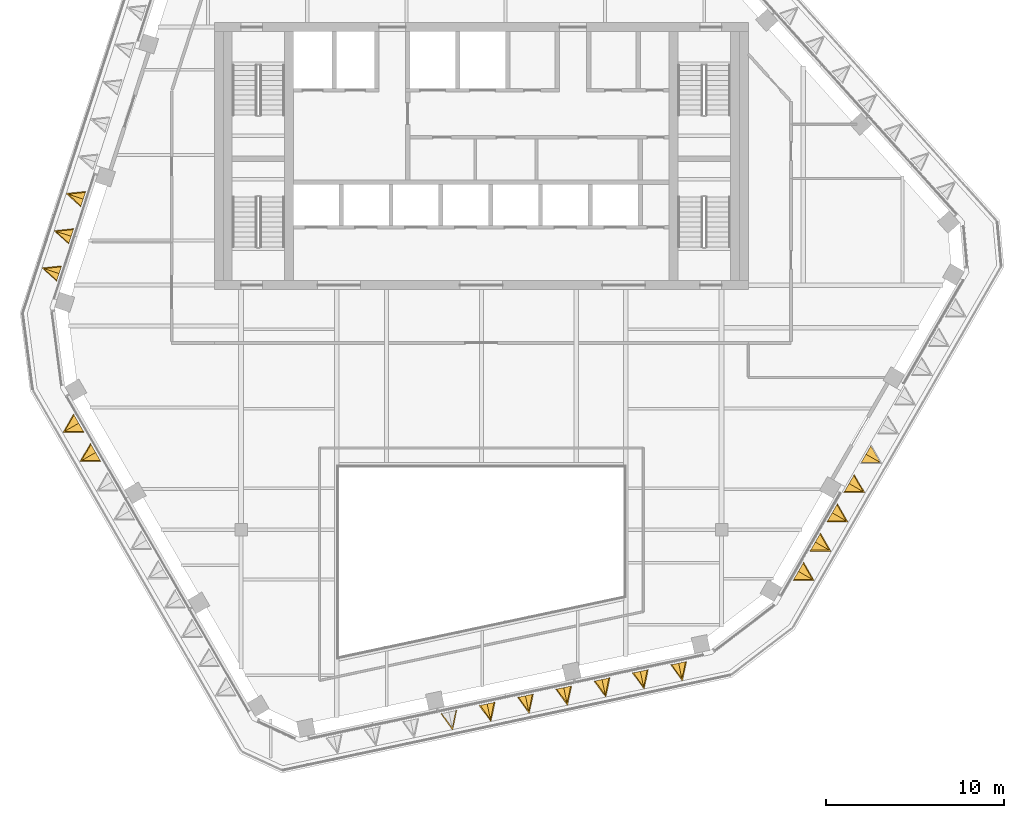
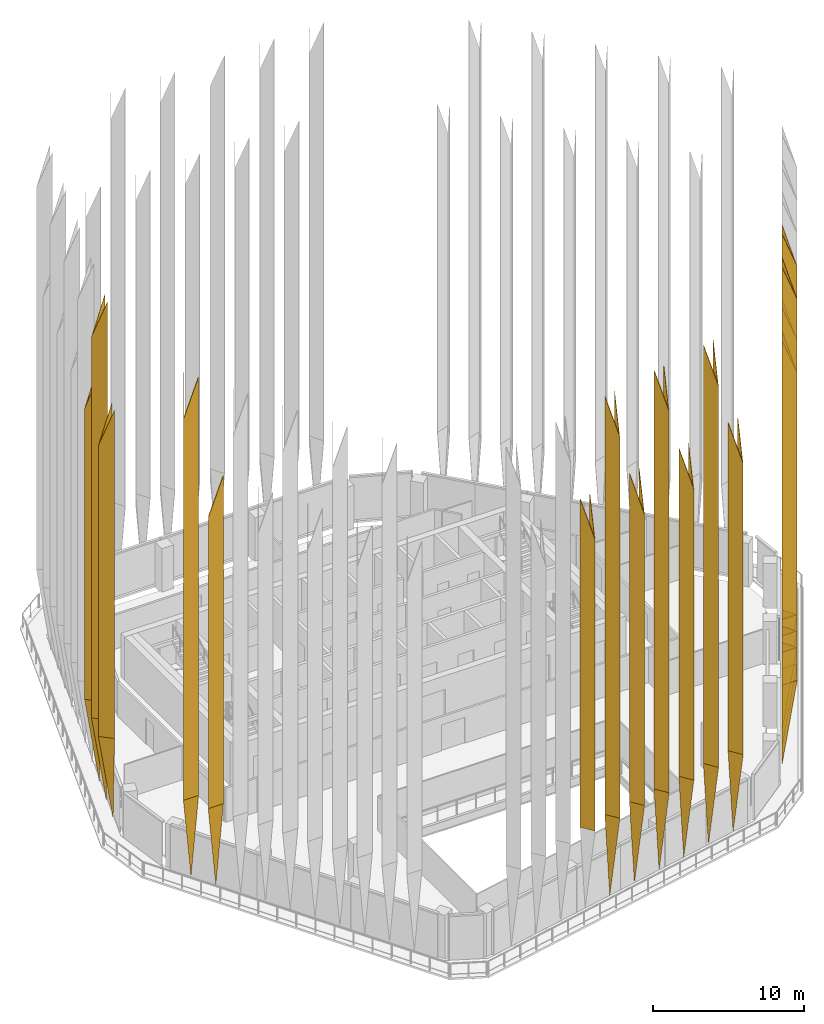
# One storey, part 18 of 21: 32 coverings.
"""IFC4 building model written with IfcOpenShell, lengths in metres."""

from ifc_helpers import new_model, si_unit, direction, frame, origin, place, context, subcontext, project, spatial, polyline, outline, faceted_brep, material, material_profile, profile_set, type_object, element, save


model = new_model("IFC4")

# Units and contexts
model_context = context("Model", 3, precision=1e-05, world=origin(), true_north=direction((0.0, 1.0)))
body_context = subcontext(model_context, "Body", "Model", "MODEL_VIEW")
ifc_project = project(units=[si_unit("LENGTHUNIT", "METRE"), si_unit("AREAUNIT", "SQUARE_METRE"), si_unit("VOLUMEUNIT", "CUBIC_METRE"), si_unit("PLANEANGLEUNIT", "RADIAN"), si_unit("MASSUNIT", "GRAM", prefix="KILO")], contexts=[model_context])

# Site, building, storey
site_placement = place(None, origin())
site = spatial("IfcSite", under=ifc_project, at=site_placement, CompositionType="ELEMENT")
building_placement = place(site_placement, origin())
building = spatial("IfcBuilding", under=site, at=building_placement, Name="Isthmus Gate Tower", CompositionType="ELEMENT")
storey_placement = place(building_placement, frame((0.0, 0.0, 260.949951171875)))
storey = spatial("IfcBuildingStorey", under=building, at=storey_placement, Name="L66", CompositionType="ELEMENT", Elevation=260.949951171875)

# Coverings
ifc_material_1 = material(Name="Structural steel ASTM A572 Gr 50, white paint system", Category="steel")
ifc_material_profile_1 = material_profile(ifc_material_1, outline(polyline([(0.0, -0.4453125), (1.0, 0.0), (0.0, 0.4453125), (0.0, 0.412353515625), (0.92626953125, 0.0), (0.0, -0.412353515625), (0.0, -0.4453125)])), Name="V1000")
ifc_profile_set_1 = profile_set([ifc_material_profile_1], Name="Structural steel ASTM A572 Gr 50, white paint system")
covering_type_1 = type_object("IfcCoveringType", Name="FIN V 1000 DEEP", PredefinedType="CLADDING", material=ifc_profile_set_1)
covering_1_placement = place(storey_placement, frame((0.0, 0.0, -260.949951171875)))
element("IfcCovering", 1, at=covering_1_placement, inside=storey, type_object=covering_type_1, Name="FIN", ObjectType="FIN", PredefinedType="CLADDING", context=body_context, shape_type="Brep", body=[
    faceted_brep([(-22.243896484375, 5.47607421875, 267.85009765625), (-23.252197265625, 5.3701171875, 267.85009765625), (-22.498779296875, 4.69189453125, 267.85009765625), (-22.509033203125, 4.66064453125, 267.85009765625), (-23.322509765625, 5.39306640625, 267.85009765625), (-22.233642578125, 5.50732421875, 267.85009765625), (-22.233642578125, 5.50732421875, 294.39990234375), (-23.322509765625, 5.39306640625, 291.39990234375), (-22.509033203125, 4.66064453125, 294.39990234375), (-22.498779296875, 4.69189453125, 294.39990234375), (-23.252197265625, 5.3701171875, 291.621337890625), (-22.243896484375, 5.47607421875, 294.39990234375)], [[[0, 1, 2, 3, 4, 5]], [[6, 7, 8, 9, 10, 11]], [[5, 4, 7, 6]], [[4, 3, 8, 7]], [[3, 2, 9, 8]], [[2, 1, 10, 9]], [[1, 0, 11, 10]], [[0, 5, 6, 11]]]),
])
covering_2_placement = place(storey_placement, frame((0.0, 0.0, -260.949951171875)))
element("IfcCovering", 2, at=covering_2_placement, inside=storey, type_object=covering_type_1, Name="FIN", ObjectType="FIN", PredefinedType="CLADDING", context=body_context, shape_type="Brep", body=[
    faceted_brep([(-22.923828125, 3.383544921875, 267.85009765625), (-23.93212890625, 3.277587890625, 267.85009765625), (-23.1787109375, 2.599365234375, 267.85009765625), (-23.18896484375, 2.568115234375, 267.85009765625), (-24.00244140625, 3.300537109375, 267.85009765625), (-22.91357421875, 3.414794921875, 267.85009765625), (-22.91357421875, 3.414794921875, 301.699951171875), (-24.00244140625, 3.300537109375, 298.699951171875), (-23.18896484375, 2.568115234375, 301.699951171875), (-23.1787109375, 2.599365234375, 301.699951171875), (-23.93212890625, 3.277587890625, 298.92138671875), (-22.923828125, 3.383544921875, 301.699951171875)], [[[0, 1, 2, 3, 4, 5]], [[6, 7, 8, 9, 10, 11]], [[5, 4, 7, 6]], [[4, 3, 8, 7]], [[3, 2, 9, 8]], [[2, 1, 10, 9]], [[1, 0, 11, 10]], [[0, 5, 6, 11]]]),
])
covering_3_placement = place(storey_placement, frame((0.0, 0.0, -260.949951171875)))
element("IfcCovering", 3, at=covering_3_placement, inside=storey, type_object=covering_type_1, Name="FIN", ObjectType="FIN", PredefinedType="CLADDING", context=body_context, shape_type="Brep", body=[
    faceted_brep([(-23.603515625, 1.291259765625, 267.85009765625), (-24.61181640625, 1.185302734375, 267.85009765625), (-23.8583984375, 0.507080078125, 267.85009765625), (-23.86865234375, 0.475830078125, 267.85009765625), (-24.68212890625, 1.208251953125, 267.85009765625), (-23.59326171875, 1.322509765625, 267.85009765625), (-23.59326171875, 1.322509765625, 294.39990234375), (-24.68212890625, 1.208251953125, 291.39990234375), (-23.86865234375, 0.475830078125, 294.39990234375), (-23.8583984375, 0.507080078125, 294.39990234375), (-24.61181640625, 1.185302734375, 291.621337890625), (-23.603515625, 1.291259765625, 294.39990234375)], [[[0, 1, 2, 3, 4, 5]], [[6, 7, 8, 9, 10, 11]], [[5, 4, 7, 6]], [[4, 3, 8, 7]], [[3, 2, 9, 8]], [[2, 1, 10, 9]], [[1, 0, 11, 10]], [[0, 5, 6, 11]]]),
])
covering_4_placement = place(storey_placement, frame((0.0, 0.0, -260.949951171875)))
element("IfcCovering", 4, at=covering_4_placement, inside=storey, type_object=covering_type_1, Name="FIN", ObjectType="FIN", PredefinedType="CLADDING", context=body_context, shape_type="Brep", body=[
    faceted_brep([(-2.22802734375, -23.831298828125, 267.85009765625), (-1.632080078125, -24.651611328125, 267.85009765625), (-1.42138671875, -23.659912109375, 267.85009765625), (-1.38916015625, -23.653076171875, 267.85009765625), (-1.61669921875, -24.7236328125, 267.85009765625), (-2.26025390625, -23.838134765625, 267.85009765625), (-2.26025390625, -23.838134765625, 294.39990234375), (-1.61669921875, -24.7236328125, 291.39990234375), (-1.38916015625, -23.653076171875, 294.39990234375), (-1.42138671875, -23.659912109375, 294.39990234375), (-1.632080078125, -24.651611328125, 291.621337890625), (-2.22802734375, -23.831298828125, 294.39990234375)], [[[0, 1, 2, 3, 4, 5]], [[6, 7, 8, 9, 10, 11]], [[5, 4, 7, 6]], [[4, 3, 8, 7]], [[3, 2, 9, 8]], [[2, 1, 10, 9]], [[1, 0, 11, 10]], [[0, 5, 6, 11]]]),
])
covering_5_placement = place(storey_placement, frame((0.0, 0.0, -260.949951171875)))
element("IfcCovering", 5, at=covering_5_placement, inside=storey, type_object=covering_type_1, Name="FIN", ObjectType="FIN", PredefinedType="CLADDING", context=body_context, shape_type="Brep", body=[
    faceted_brep([(-0.076171875, -23.3740234375, 267.85009765625), (0.519775390625, -24.1943359375, 267.85009765625), (0.73046875, -23.20263671875, 267.85009765625), (0.7626953125, -23.19580078125, 267.85009765625), (0.53515625, -24.266357421875, 267.85009765625), (-0.1083984375, -23.380859375, 267.85009765625), (-0.1083984375, -23.380859375, 301.699951171875), (0.53515625, -24.266357421875, 298.699951171875), (0.7626953125, -23.19580078125, 301.699951171875), (0.73046875, -23.20263671875, 301.699951171875), (0.519775390625, -24.1943359375, 298.92138671875), (-0.076171875, -23.3740234375, 301.699951171875)], [[[0, 1, 2, 3, 4, 5]], [[6, 7, 8, 9, 10, 11]], [[5, 4, 7, 6]], [[4, 3, 8, 7]], [[3, 2, 9, 8]], [[2, 1, 10, 9]], [[1, 0, 11, 10]], [[0, 5, 6, 11]]]),
])
covering_6_placement = place(storey_placement, frame((0.0, 0.0, -260.949951171875)))
element("IfcCovering", 6, at=covering_6_placement, inside=storey, type_object=covering_type_1, Name="FIN", ObjectType="FIN", PredefinedType="CLADDING", context=body_context, shape_type="Brep", body=[
    faceted_brep([(2.07568359375, -22.91650390625, 267.85009765625), (2.671630859375, -23.73681640625, 267.85009765625), (2.88232421875, -22.7451171875, 267.85009765625), (2.91455078125, -22.73828125, 267.85009765625), (2.68701171875, -23.808837890625, 267.85009765625), (2.04345703125, -22.92333984375, 267.85009765625), (2.04345703125, -22.92333984375, 294.39990234375), (2.68701171875, -23.808837890625, 291.39990234375), (2.91455078125, -22.73828125, 294.39990234375), (2.88232421875, -22.7451171875, 294.39990234375), (2.671630859375, -23.73681640625, 291.621337890625), (2.07568359375, -22.91650390625, 294.39990234375)], [[[0, 1, 2, 3, 4, 5]], [[6, 7, 8, 9, 10, 11]], [[5, 4, 7, 6]], [[4, 3, 8, 7]], [[3, 2, 9, 8]], [[2, 1, 10, 9]], [[1, 0, 11, 10]], [[0, 5, 6, 11]]]),
])
covering_7_placement = place(storey_placement, frame((0.0, 0.0, -260.949951171875)))
element("IfcCovering", 7, at=covering_7_placement, inside=storey, type_object=covering_type_1, Name="FIN", ObjectType="FIN", PredefinedType="CLADDING", context=body_context, shape_type="Brep", body=[
    faceted_brep([(4.2275390625, -22.459228515625, 267.85009765625), (4.823486328125, -23.279541015625, 267.85009765625), (5.0341796875, -22.287841796875, 267.85009765625), (5.06640625, -22.281005859375, 267.85009765625), (4.8388671875, -23.3515625, 267.85009765625), (4.1953125, -22.466064453125, 267.85009765625), (4.1953125, -22.466064453125, 301.699951171875), (4.8388671875, -23.3515625, 298.699951171875), (5.06640625, -22.281005859375, 301.699951171875), (5.0341796875, -22.287841796875, 301.699951171875), (4.823486328125, -23.279541015625, 298.92138671875), (4.2275390625, -22.459228515625, 301.699951171875)], [[[0, 1, 2, 3, 4, 5]], [[6, 7, 8, 9, 10, 11]], [[5, 4, 7, 6]], [[4, 3, 8, 7]], [[3, 2, 9, 8]], [[2, 1, 10, 9]], [[1, 0, 11, 10]], [[0, 5, 6, 11]]]),
])
covering_8_placement = place(storey_placement, frame((0.0, 0.0, -260.949951171875)))
element("IfcCovering", 8, at=covering_8_placement, inside=storey, type_object=covering_type_1, Name="FIN", ObjectType="FIN", PredefinedType="CLADDING", context=body_context, shape_type="Brep", body=[
    faceted_brep([(6.379638671875, -22.001708984375, 267.85009765625), (6.9755859375, -22.822021484375, 267.85009765625), (7.186279296875, -21.830322265625, 267.85009765625), (7.218505859375, -21.823486328125, 267.85009765625), (6.990966796875, -22.89404296875, 267.85009765625), (6.347412109375, -22.008544921875, 267.85009765625), (6.347412109375, -22.008544921875, 294.39990234375), (6.990966796875, -22.89404296875, 291.39990234375), (7.218505859375, -21.823486328125, 294.39990234375), (7.186279296875, -21.830322265625, 294.39990234375), (6.9755859375, -22.822021484375, 291.621337890625), (6.379638671875, -22.001708984375, 294.39990234375)], [[[0, 1, 2, 3, 4, 5]], [[6, 7, 8, 9, 10, 11]], [[5, 4, 7, 6]], [[4, 3, 8, 7]], [[3, 2, 9, 8]], [[2, 1, 10, 9]], [[1, 0, 11, 10]], [[0, 5, 6, 11]]]),
])
covering_9_placement = place(storey_placement, frame((0.0, 0.0, -260.949951171875)))
element("IfcCovering", 9, at=covering_9_placement, inside=storey, type_object=covering_type_1, Name="FIN", ObjectType="FIN", PredefinedType="CLADDING", context=body_context, shape_type="Brep", body=[
    faceted_brep([(8.531494140625, -21.54443359375, 267.85009765625), (9.12744140625, -22.36474609375, 267.85009765625), (9.338134765625, -21.373046875, 267.85009765625), (9.370361328125, -21.3662109375, 267.85009765625), (9.142822265625, -22.436767578125, 267.85009765625), (8.499267578125, -21.55126953125, 267.85009765625), (8.499267578125, -21.55126953125, 301.699951171875), (9.142822265625, -22.436767578125, 298.699951171875), (9.370361328125, -21.3662109375, 301.699951171875), (9.338134765625, -21.373046875, 301.699951171875), (9.12744140625, -22.36474609375, 298.92138671875), (8.531494140625, -21.54443359375, 301.699951171875)], [[[0, 1, 2, 3, 4, 5]], [[6, 7, 8, 9, 10, 11]], [[5, 4, 7, 6]], [[4, 3, 8, 7]], [[3, 2, 9, 8]], [[2, 1, 10, 9]], [[1, 0, 11, 10]], [[0, 5, 6, 11]]]),
])
covering_10_placement = place(storey_placement, frame((0.0, 0.0, -260.949951171875)))
element("IfcCovering", 10, at=covering_10_placement, inside=storey, type_object=covering_type_1, Name="FIN", ObjectType="FIN", PredefinedType="CLADDING", context=body_context, shape_type="Brep", body=[
    faceted_brep([(10.683349609375, -21.0869140625, 267.85009765625), (11.279296875, -21.9072265625, 267.85009765625), (11.489990234375, -20.91552734375, 267.85009765625), (11.522216796875, -20.90869140625, 267.85009765625), (11.294677734375, -21.979248046875, 267.85009765625), (10.651123046875, -21.09375, 267.85009765625), (10.651123046875, -21.09375, 294.39990234375), (11.294677734375, -21.979248046875, 291.39990234375), (11.522216796875, -20.90869140625, 294.39990234375), (11.489990234375, -20.91552734375, 294.39990234375), (11.279296875, -21.9072265625, 291.621337890625), (10.683349609375, -21.0869140625, 294.39990234375)], [[[0, 1, 2, 3, 4, 5]], [[6, 7, 8, 9, 10, 11]], [[5, 4, 7, 6]], [[4, 3, 8, 7]], [[3, 2, 9, 8]], [[2, 1, 10, 9]], [[1, 0, 11, 10]], [[0, 5, 6, 11]]]),
])
ifc_material_2 = material(Name="Structural steel ASTM A572 Gr 50, white paint system", Category="steel")
ifc_material_profile_2 = material_profile(ifc_material_2, outline(polyline([(0.0, -0.4453125), (1.0, 0.0), (0.0, 0.4453125), (0.0, 0.412353515625), (0.92626953125, 0.0), (0.0, -0.412353515625), (0.0, -0.4453125)])), Name="V1000")
ifc_profile_set_2 = profile_set([ifc_material_profile_2], Name="Structural steel ASTM A572 Gr 50, white paint system")
covering_type_2 = type_object("IfcCoveringType", Name="FIN V 1000 DEEP FOOT", PredefinedType="CLADDING", material=ifc_profile_set_2)
covering_11_placement = place(storey_placement, frame((0.0, 0.0, -260.949951171875)))
element("IfcCovering", 11, at=covering_11_placement, inside=storey, type_object=covering_type_2, Name="FIN", ObjectType="FIN", PredefinedType="CLADDING", context=body_context, shape_type="Brep", body=[
    faceted_brep([(-22.233642578125, 5.50732421875, 267.85009765625), (-23.322509765625, 5.39306640625, 267.85009765625), (-22.509033203125, 4.66064453125, 267.85009765625), (-22.498779296875, 4.69189453125, 267.85009765625), (-23.252197265625, 5.3701171875, 267.85009765625), (-22.243896484375, 5.47607421875, 267.85009765625), (-22.371337890625, 5.083984375, 261.050048828125)], [[[0, 1, 2, 3, 4, 5]], [[1, 0, 6]], [[2, 1, 6]], [[3, 2, 6]], [[4, 3, 6]], [[5, 4, 6]], [[0, 5, 6]]]),
])
covering_12_placement = place(storey_placement, frame((0.0, 0.0, -260.949951171875)))
element("IfcCovering", 12, at=covering_12_placement, inside=storey, type_object=covering_type_2, Name="FIN", ObjectType="FIN", PredefinedType="CLADDING", context=body_context, shape_type="Brep", body=[
    faceted_brep([(-22.91357421875, 3.414794921875, 267.85009765625), (-24.00244140625, 3.300537109375, 267.85009765625), (-23.18896484375, 2.568115234375, 267.85009765625), (-23.1787109375, 2.599365234375, 267.85009765625), (-23.93212890625, 3.277587890625, 267.85009765625), (-22.923828125, 3.383544921875, 267.85009765625), (-23.05126953125, 2.991455078125, 261.050048828125)], [[[0, 1, 2, 3, 4, 5]], [[1, 0, 6]], [[2, 1, 6]], [[3, 2, 6]], [[4, 3, 6]], [[5, 4, 6]], [[0, 5, 6]]]),
])
covering_13_placement = place(storey_placement, frame((0.0, 0.0, -260.949951171875)))
element("IfcCovering", 13, at=covering_13_placement, inside=storey, type_object=covering_type_2, Name="FIN", ObjectType="FIN", PredefinedType="CLADDING", context=body_context, shape_type="Brep", body=[
    faceted_brep([(-23.59326171875, 1.322509765625, 267.85009765625), (-24.68212890625, 1.208251953125, 267.85009765625), (-23.86865234375, 0.475830078125, 267.85009765625), (-23.8583984375, 0.507080078125, 267.85009765625), (-24.61181640625, 1.185302734375, 267.85009765625), (-23.603515625, 1.291259765625, 267.85009765625), (-23.73095703125, 0.899169921875, 261.050048828125)], [[[0, 1, 2, 3, 4, 5]], [[1, 0, 6]], [[2, 1, 6]], [[3, 2, 6]], [[4, 3, 6]], [[5, 4, 6]], [[0, 5, 6]]]),
])
covering_14_placement = place(storey_placement, frame((0.0, 0.0, -260.949951171875)))
element("IfcCovering", 14, at=covering_14_placement, inside=storey, type_object=covering_type_2, Name="FIN", ObjectType="FIN", PredefinedType="CLADDING", context=body_context, shape_type="Brep", body=[
    faceted_brep([(-0.1083984375, -23.380859375, 267.85009765625), (0.53515625, -24.266357421875, 267.85009765625), (0.7626953125, -23.19580078125, 267.85009765625), (0.73046875, -23.20263671875, 267.85009765625), (0.519775390625, -24.1943359375, 267.85009765625), (-0.076171875, -23.3740234375, 267.85009765625), (0.3271484375, -23.288330078125, 261.050048828125)], [[[0, 1, 2, 3, 4, 5]], [[1, 0, 6]], [[2, 1, 6]], [[3, 2, 6]], [[4, 3, 6]], [[5, 4, 6]], [[0, 5, 6]]]),
])
covering_15_placement = place(storey_placement, frame((0.0, 0.0, -260.949951171875)))
element("IfcCovering", 15, at=covering_15_placement, inside=storey, type_object=covering_type_2, Name="FIN", ObjectType="FIN", PredefinedType="CLADDING", context=body_context, shape_type="Brep", body=[
    faceted_brep([(2.04345703125, -22.92333984375, 267.85009765625), (2.68701171875, -23.808837890625, 267.85009765625), (2.91455078125, -22.73828125, 267.85009765625), (2.88232421875, -22.7451171875, 267.85009765625), (2.671630859375, -23.73681640625, 267.85009765625), (2.07568359375, -22.91650390625, 267.85009765625), (2.47900390625, -22.830810546875, 261.050048828125)], [[[0, 1, 2, 3, 4, 5]], [[1, 0, 6]], [[2, 1, 6]], [[3, 2, 6]], [[4, 3, 6]], [[5, 4, 6]], [[0, 5, 6]]]),
])
covering_16_placement = place(storey_placement, frame((0.0, 0.0, -260.949951171875)))
element("IfcCovering", 16, at=covering_16_placement, inside=storey, type_object=covering_type_2, Name="FIN", ObjectType="FIN", PredefinedType="CLADDING", context=body_context, shape_type="Brep", body=[
    faceted_brep([(4.1953125, -22.466064453125, 267.85009765625), (4.8388671875, -23.3515625, 267.85009765625), (5.06640625, -22.281005859375, 267.85009765625), (5.0341796875, -22.287841796875, 267.85009765625), (4.823486328125, -23.279541015625, 267.85009765625), (4.2275390625, -22.459228515625, 267.85009765625), (4.630859375, -22.37353515625, 261.050048828125)], [[[0, 1, 2, 3, 4, 5]], [[1, 0, 6]], [[2, 1, 6]], [[3, 2, 6]], [[4, 3, 6]], [[5, 4, 6]], [[0, 5, 6]]]),
])
covering_17_placement = place(storey_placement, frame((0.0, 0.0, -260.949951171875)))
element("IfcCovering", 17, at=covering_17_placement, inside=storey, type_object=covering_type_2, Name="FIN", ObjectType="FIN", PredefinedType="CLADDING", context=body_context, shape_type="Brep", body=[
    faceted_brep([(6.347412109375, -22.008544921875, 267.85009765625), (6.990966796875, -22.89404296875, 267.85009765625), (7.218505859375, -21.823486328125, 267.85009765625), (7.186279296875, -21.830322265625, 267.85009765625), (6.9755859375, -22.822021484375, 267.85009765625), (6.379638671875, -22.001708984375, 267.85009765625), (6.782958984375, -21.916015625, 261.050048828125)], [[[0, 1, 2, 3, 4, 5]], [[1, 0, 6]], [[2, 1, 6]], [[3, 2, 6]], [[4, 3, 6]], [[5, 4, 6]], [[0, 5, 6]]]),
])
covering_18_placement = place(storey_placement, frame((0.0, 0.0, -260.949951171875)))
element("IfcCovering", 18, at=covering_18_placement, inside=storey, type_object=covering_type_2, Name="FIN", ObjectType="FIN", PredefinedType="CLADDING", context=body_context, shape_type="Brep", body=[
    faceted_brep([(8.499267578125, -21.55126953125, 267.85009765625), (9.142822265625, -22.436767578125, 267.85009765625), (9.370361328125, -21.3662109375, 267.85009765625), (9.338134765625, -21.373046875, 267.85009765625), (9.12744140625, -22.36474609375, 267.85009765625), (8.531494140625, -21.54443359375, 267.85009765625), (8.934814453125, -21.458740234375, 261.050048828125)], [[[0, 1, 2, 3, 4, 5]], [[1, 0, 6]], [[2, 1, 6]], [[3, 2, 6]], [[4, 3, 6]], [[5, 4, 6]], [[0, 5, 6]]]),
])
covering_19_placement = place(storey_placement, frame((0.0, 0.0, -260.949951171875)))
element("IfcCovering", 19, at=covering_19_placement, inside=storey, type_object=covering_type_2, Name="FIN", ObjectType="FIN", PredefinedType="CLADDING", context=body_context, shape_type="Brep", body=[
    faceted_brep([(10.651123046875, -21.09375, 267.85009765625), (11.294677734375, -21.979248046875, 267.85009765625), (11.522216796875, -20.90869140625, 267.85009765625), (11.489990234375, -20.91552734375, 267.85009765625), (11.279296875, -21.9072265625, 267.85009765625), (10.683349609375, -21.0869140625, 267.85009765625), (11.086669921875, -21.001220703125, 261.050048828125)], [[[0, 1, 2, 3, 4, 5]], [[1, 0, 6]], [[2, 1, 6]], [[3, 2, 6]], [[4, 3, 6]], [[5, 4, 6]], [[0, 5, 6]]]),
])
ifc_material_3 = material(Name="Structural steel ASTM A572 Gr 50, white paint system", Category="steel")
ifc_material_profile_3 = material_profile(ifc_material_3, outline(polyline([(0.0, -0.577392578125), (1.0, 0.0), (0.0, 0.577392578125), (0.0, 0.542724609375), (0.93994140625, 0.0), (0.0, -0.542724609375), (0.0, -0.577392578125)])), Name="V1000W")
ifc_profile_set_3 = profile_set([ifc_material_profile_3], Name="Structural steel ASTM A572 Gr 50, white paint system")
covering_type_3 = type_object("IfcCoveringType", Name="FIN V 1000 DEEP WIDE", PredefinedType="CLADDING", material=ifc_profile_set_3)
covering_20_placement = place(storey_placement, frame((0.0, 0.0, -260.949951171875)))
element("IfcCovering", 20, at=covering_20_placement, inside=storey, type_object=covering_type_3, Name="FIN", ObjectType="FIN", PredefinedType="CLADDING", context=body_context, shape_type="Brep", body=[
    faceted_brep([(-22.896728515625, -7.04150390625, 267.85009765625), (-23.439453125, -7.9814453125, 267.85009765625), (-22.354248046875, -7.9814453125, 267.85009765625), (-22.3369140625, -8.011474609375, 267.85009765625), (-23.491455078125, -8.011474609375, 267.85009765625), (-22.9140625, -7.011474609375, 267.85009765625), (-22.9140625, -7.011474609375, 301.699951171875), (-23.491455078125, -8.011474609375, 298.699951171875), (-22.3369140625, -8.011474609375, 301.699951171875), (-22.354248046875, -7.9814453125, 301.699951171875), (-23.439453125, -7.9814453125, 298.8798828125), (-22.896728515625, -7.04150390625, 301.699951171875)], [[[0, 1, 2, 3, 4, 5]], [[6, 7, 8, 9, 10, 11]], [[5, 4, 7, 6]], [[4, 3, 8, 7]], [[3, 2, 9, 8]], [[2, 1, 10, 9]], [[1, 0, 11, 10]], [[0, 5, 6, 11]]]),
])
covering_21_placement = place(storey_placement, frame((0.0, 0.0, -260.949951171875)))
element("IfcCovering", 21, at=covering_21_placement, inside=storey, type_object=covering_type_3, Name="FIN", ObjectType="FIN", PredefinedType="CLADDING", context=body_context, shape_type="Brep", body=[
    faceted_brep([(-21.94677734375, -8.68701171875, 267.85009765625), (-22.489501953125, -9.626953125, 267.85009765625), (-21.404296875, -9.626953125, 267.85009765625), (-21.386962890625, -9.656982421875, 267.85009765625), (-22.54150390625, -9.656982421875, 267.85009765625), (-21.964111328125, -8.656982421875, 267.85009765625), (-21.964111328125, -8.656982421875, 294.39990234375), (-22.54150390625, -9.656982421875, 291.39990234375), (-21.386962890625, -9.656982421875, 294.39990234375), (-21.404296875, -9.626953125, 294.39990234375), (-22.489501953125, -9.626953125, 291.580078125), (-21.94677734375, -8.68701171875, 294.39990234375)], [[[0, 1, 2, 3, 4, 5]], [[6, 7, 8, 9, 10, 11]], [[5, 4, 7, 6]], [[4, 3, 8, 7]], [[3, 2, 9, 8]], [[2, 1, 10, 9]], [[1, 0, 11, 10]], [[0, 5, 6, 11]]]),
])
covering_22_placement = place(storey_placement, frame((0.0, 0.0, -260.949951171875)))
element("IfcCovering", 22, at=covering_22_placement, inside=storey, type_object=covering_type_3, Name="FIN", ObjectType="FIN", PredefinedType="CLADDING", context=body_context, shape_type="Brep", body=[
    faceted_brep([(17.546630859375, -16.30859375, 267.85009765625), (18.6318359375, -16.30859375, 267.85009765625), (18.089111328125, -15.36865234375, 267.85009765625), (18.1064453125, -15.338623046875, 267.85009765625), (18.683837890625, -16.338623046875, 267.85009765625), (17.529296875, -16.338623046875, 267.85009765625), (17.529296875, -16.338623046875, 301.699951171875), (18.683837890625, -16.338623046875, 298.699951171875), (18.1064453125, -15.338623046875, 301.699951171875), (18.089111328125, -15.36865234375, 301.699951171875), (18.6318359375, -16.30859375, 298.8798828125), (17.546630859375, -16.30859375, 301.699951171875)], [[[0, 1, 2, 3, 4, 5]], [[6, 7, 8, 9, 10, 11]], [[5, 4, 7, 6]], [[4, 3, 8, 7]], [[3, 2, 9, 8]], [[2, 1, 10, 9]], [[1, 0, 11, 10]], [[0, 5, 6, 11]]]),
])
covering_23_placement = place(storey_placement, frame((0.0, 0.0, -260.949951171875)))
element("IfcCovering", 23, at=covering_23_placement, inside=storey, type_object=covering_type_3, Name="FIN", ObjectType="FIN", PredefinedType="CLADDING", context=body_context, shape_type="Brep", body=[
    faceted_brep([(18.49658203125, -14.6630859375, 267.85009765625), (19.581787109375, -14.6630859375, 267.85009765625), (19.0390625, -13.72314453125, 267.85009765625), (19.056396484375, -13.693115234375, 267.85009765625), (19.6337890625, -14.693115234375, 267.85009765625), (18.479248046875, -14.693115234375, 267.85009765625), (18.479248046875, -14.693115234375, 294.39990234375), (19.6337890625, -14.693115234375, 291.39990234375), (19.056396484375, -13.693115234375, 294.39990234375), (19.0390625, -13.72314453125, 294.39990234375), (19.581787109375, -14.6630859375, 291.580078125), (18.49658203125, -14.6630859375, 294.39990234375)], [[[0, 1, 2, 3, 4, 5]], [[6, 7, 8, 9, 10, 11]], [[5, 4, 7, 6]], [[4, 3, 8, 7]], [[3, 2, 9, 8]], [[2, 1, 10, 9]], [[1, 0, 11, 10]], [[0, 5, 6, 11]]]),
])
covering_24_placement = place(storey_placement, frame((0.0, 0.0, -260.949951171875)))
element("IfcCovering", 24, at=covering_24_placement, inside=storey, type_object=covering_type_3, Name="FIN", ObjectType="FIN", PredefinedType="CLADDING", context=body_context, shape_type="Brep", body=[
    faceted_brep([(19.446533203125, -13.017578125, 267.85009765625), (20.53173828125, -13.017578125, 267.85009765625), (19.989013671875, -12.07763671875, 267.85009765625), (20.00634765625, -12.047607421875, 267.85009765625), (20.583740234375, -13.047607421875, 267.85009765625), (19.42919921875, -13.047607421875, 267.85009765625), (19.42919921875, -13.047607421875, 301.699951171875), (20.583740234375, -13.047607421875, 298.699951171875), (20.00634765625, -12.047607421875, 301.699951171875), (19.989013671875, -12.07763671875, 301.699951171875), (20.53173828125, -13.017578125, 298.8798828125), (19.446533203125, -13.017578125, 301.699951171875)], [[[0, 1, 2, 3, 4, 5]], [[6, 7, 8, 9, 10, 11]], [[5, 4, 7, 6]], [[4, 3, 8, 7]], [[3, 2, 9, 8]], [[2, 1, 10, 9]], [[1, 0, 11, 10]], [[0, 5, 6, 11]]]),
])
covering_25_placement = place(storey_placement, frame((0.0, 0.0, -260.949951171875)))
element("IfcCovering", 25, at=covering_25_placement, inside=storey, type_object=covering_type_3, Name="FIN", ObjectType="FIN", PredefinedType="CLADDING", context=body_context, shape_type="Brep", body=[
    faceted_brep([(20.396728515625, -11.3720703125, 267.85009765625), (21.48193359375, -11.3720703125, 267.85009765625), (20.939208984375, -10.43212890625, 267.85009765625), (20.95654296875, -10.402099609375, 267.85009765625), (21.533935546875, -11.402099609375, 267.85009765625), (20.37939453125, -11.402099609375, 267.85009765625), (20.37939453125, -11.402099609375, 294.39990234375), (21.533935546875, -11.402099609375, 291.39990234375), (20.95654296875, -10.402099609375, 294.39990234375), (20.939208984375, -10.43212890625, 294.39990234375), (21.48193359375, -11.3720703125, 291.580078125), (20.396728515625, -11.3720703125, 294.39990234375)], [[[0, 1, 2, 3, 4, 5]], [[6, 7, 8, 9, 10, 11]], [[5, 4, 7, 6]], [[4, 3, 8, 7]], [[3, 2, 9, 8]], [[2, 1, 10, 9]], [[1, 0, 11, 10]], [[0, 5, 6, 11]]]),
])
ifc_material_4 = material(Name="Structural steel ASTM A572 Gr 50, white paint system", Category="steel")
ifc_material_profile_4 = material_profile(ifc_material_4, outline(polyline([(0.0, -0.577392578125), (1.0, 0.0), (0.0, 0.577392578125), (0.0, 0.542724609375), (0.93994140625, 0.0), (0.0, -0.542724609375), (0.0, -0.577392578125)])), Name="V1000W")
ifc_profile_set_4 = profile_set([ifc_material_profile_4], Name="Structural steel ASTM A572 Gr 50, white paint system")
covering_type_4 = type_object("IfcCoveringType", Name="FIN V 1000 DEEP WIDE FOOT", PredefinedType="CLADDING", material=ifc_profile_set_4)
covering_26_placement = place(storey_placement, frame((0.0, 0.0, -260.949951171875)))
element("IfcCovering", 26, at=covering_26_placement, inside=storey, type_object=covering_type_4, Name="FIN", ObjectType="FIN", PredefinedType="CLADDING", context=body_context, shape_type="Brep", body=[
    faceted_brep([(-22.9140625, -7.011474609375, 267.85009765625), (-23.491455078125, -8.011474609375, 267.85009765625), (-22.3369140625, -8.011474609375, 267.85009765625), (-22.354248046875, -7.9814453125, 267.85009765625), (-23.439453125, -7.9814453125, 267.85009765625), (-22.896728515625, -7.04150390625, 267.85009765625), (-22.62548828125, -7.511474609375, 261.050048828125)], [[[0, 1, 2, 3, 4, 5]], [[1, 0, 6]], [[2, 1, 6]], [[3, 2, 6]], [[4, 3, 6]], [[5, 4, 6]], [[0, 5, 6]]]),
])
covering_27_placement = place(storey_placement, frame((0.0, 0.0, -260.949951171875)))
element("IfcCovering", 27, at=covering_27_placement, inside=storey, type_object=covering_type_4, Name="FIN", ObjectType="FIN", PredefinedType="CLADDING", context=body_context, shape_type="Brep", body=[
    faceted_brep([(-21.964111328125, -8.656982421875, 267.85009765625), (-22.54150390625, -9.656982421875, 267.85009765625), (-21.386962890625, -9.656982421875, 267.85009765625), (-21.404296875, -9.626953125, 267.85009765625), (-22.489501953125, -9.626953125, 267.85009765625), (-21.94677734375, -8.68701171875, 267.85009765625), (-21.675537109375, -9.156982421875, 261.050048828125)], [[[0, 1, 2, 3, 4, 5]], [[1, 0, 6]], [[2, 1, 6]], [[3, 2, 6]], [[4, 3, 6]], [[5, 4, 6]], [[0, 5, 6]]]),
])
covering_28_placement = place(storey_placement, frame((0.0, 0.0, -260.949951171875)))
element("IfcCovering", 28, at=covering_28_placement, inside=storey, type_object=covering_type_4, Name="FIN", ObjectType="FIN", PredefinedType="CLADDING", context=body_context, shape_type="Brep", body=[
    faceted_brep([(17.529296875, -16.338623046875, 267.85009765625), (18.683837890625, -16.338623046875, 267.85009765625), (18.1064453125, -15.338623046875, 267.85009765625), (18.089111328125, -15.36865234375, 267.85009765625), (18.6318359375, -16.30859375, 267.85009765625), (17.546630859375, -16.30859375, 267.85009765625), (17.81787109375, -15.838623046875, 261.050048828125)], [[[0, 1, 2, 3, 4, 5]], [[1, 0, 6]], [[2, 1, 6]], [[3, 2, 6]], [[4, 3, 6]], [[5, 4, 6]], [[0, 5, 6]]]),
])
covering_29_placement = place(storey_placement, frame((0.0, 0.0, -260.949951171875)))
element("IfcCovering", 29, at=covering_29_placement, inside=storey, type_object=covering_type_4, Name="FIN", ObjectType="FIN", PredefinedType="CLADDING", context=body_context, shape_type="Brep", body=[
    faceted_brep([(18.479248046875, -14.693115234375, 267.85009765625), (19.6337890625, -14.693115234375, 267.85009765625), (19.056396484375, -13.693115234375, 267.85009765625), (19.0390625, -13.72314453125, 267.85009765625), (19.581787109375, -14.6630859375, 267.85009765625), (18.49658203125, -14.6630859375, 267.85009765625), (18.767822265625, -14.193115234375, 261.050048828125)], [[[0, 1, 2, 3, 4, 5]], [[1, 0, 6]], [[2, 1, 6]], [[3, 2, 6]], [[4, 3, 6]], [[5, 4, 6]], [[0, 5, 6]]]),
])
covering_30_placement = place(storey_placement, frame((0.0, 0.0, -260.949951171875)))
element("IfcCovering", 30, at=covering_30_placement, inside=storey, type_object=covering_type_4, Name="FIN", ObjectType="FIN", PredefinedType="CLADDING", context=body_context, shape_type="Brep", body=[
    faceted_brep([(19.42919921875, -13.047607421875, 267.85009765625), (20.583740234375, -13.047607421875, 267.85009765625), (20.00634765625, -12.047607421875, 267.85009765625), (19.989013671875, -12.07763671875, 267.85009765625), (20.53173828125, -13.017578125, 267.85009765625), (19.446533203125, -13.017578125, 267.85009765625), (19.7177734375, -12.547607421875, 261.050048828125)], [[[0, 1, 2, 3, 4, 5]], [[1, 0, 6]], [[2, 1, 6]], [[3, 2, 6]], [[4, 3, 6]], [[5, 4, 6]], [[0, 5, 6]]]),
])
covering_31_placement = place(storey_placement, frame((0.0, 0.0, -260.949951171875)))
element("IfcCovering", 31, at=covering_31_placement, inside=storey, type_object=covering_type_4, Name="FIN", ObjectType="FIN", PredefinedType="CLADDING", context=body_context, shape_type="Brep", body=[
    faceted_brep([(20.37939453125, -11.402099609375, 267.85009765625), (21.533935546875, -11.402099609375, 267.85009765625), (20.95654296875, -10.402099609375, 267.85009765625), (20.939208984375, -10.43212890625, 267.85009765625), (21.48193359375, -11.3720703125, 267.85009765625), (20.396728515625, -11.3720703125, 267.85009765625), (20.66796875, -10.902099609375, 261.050048828125)], [[[0, 1, 2, 3, 4, 5]], [[1, 0, 6]], [[2, 1, 6]], [[3, 2, 6]], [[4, 3, 6]], [[5, 4, 6]], [[0, 5, 6]]]),
])
covering_32_placement = place(storey_placement, frame((0.0, 0.0, -260.949951171875)))
element("IfcCovering", 32, at=covering_32_placement, inside=storey, type_object=covering_type_4, Name="FIN", ObjectType="FIN", PredefinedType="CLADDING", context=body_context, shape_type="Brep", body=[
    faceted_brep([(21.329345703125, -9.7568359375, 267.85009765625), (22.48388671875, -9.7568359375, 267.85009765625), (21.906494140625, -8.7568359375, 267.85009765625), (21.88916015625, -8.786865234375, 267.85009765625), (22.431884765625, -9.726806640625, 267.85009765625), (21.3466796875, -9.726806640625, 267.85009765625), (21.617919921875, -9.2568359375, 261.050048828125)], [[[0, 1, 2, 3, 4, 5]], [[1, 0, 6]], [[2, 1, 6]], [[3, 2, 6]], [[4, 3, 6]], [[5, 4, 6]], [[0, 5, 6]]]),
])

save(model, "model.ifc")
